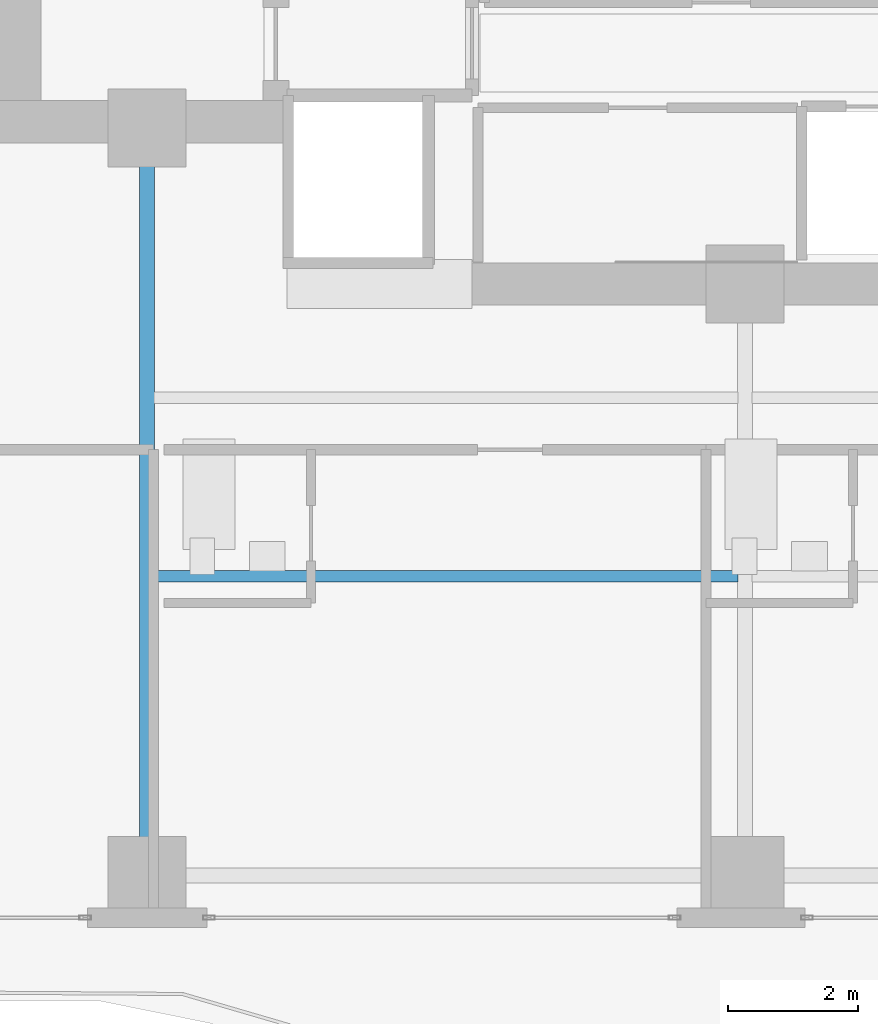
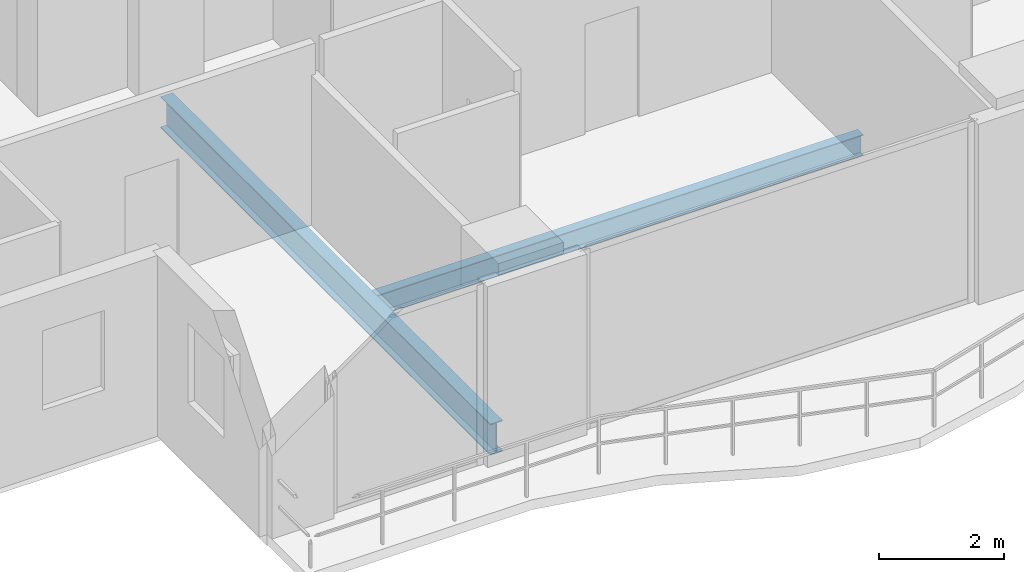
# One storey, part 3 of 32: 2 beams.
"""IFC4 building model written with IfcOpenShell, lengths in metres."""

from ifc_helpers import new_model, si_unit, direction, frame, origin, origin_2d, place, context, subcontext, project, spatial, i_section, extrude, material, material_profile, profile_set, type_object, element, save


model = new_model("IFC4")

# Units and contexts
model_context = context("Model", 3, precision=1e-05, world=origin(), true_north=direction((0.0, 1.0)))
body_context = subcontext(model_context, "Body", "Model", "MODEL_VIEW")
ifc_project = project(units=[si_unit("LENGTHUNIT", "METRE"), si_unit("AREAUNIT", "SQUARE_METRE"), si_unit("VOLUMEUNIT", "CUBIC_METRE"), si_unit("PLANEANGLEUNIT", "RADIAN"), si_unit("MASSUNIT", "GRAM", prefix="KILO")], contexts=[model_context])

# Site, building, storey
site_placement = place(None, origin())
site = spatial("IfcSite", under=ifc_project, at=site_placement, CompositionType="ELEMENT")
building_placement = place(site_placement, origin())
building = spatial("IfcBuilding", under=site, at=building_placement, Name="Zuhayl Quay Hotel", CompositionType="ELEMENT")
storey_placement = place(building_placement, frame((0.0, 0.0, 184.89990234375)))
storey = spatial("IfcBuildingStorey", under=building, at=storey_placement, Name="L46", CompositionType="ELEMENT", Elevation=184.89990234375)

# Beams
ifc_material = material(Name="Steel ASTM A992 Grade 50", Category="steel")
ifc_material_profile_1 = material_profile(ifc_material, i_section(OverallWidth=0.22802734375, OverallDepth=0.60693359375, WebThickness=0.01123046875, FlangeThickness=0.017333984375, at=origin_2d()), Name="W24X76")
ifc_profile_set_1 = profile_set([ifc_material_profile_1], Name="Steel ASTM A992 Grade 50")
beam_type_1 = type_object("IfcBeamType", Name="BM_B3_W24X76", PredefinedType="BEAM", material=ifc_profile_set_1)
beam_1_placement = place(storey_placement, frame((-13.800048828125, -6.449951171875, -0.5234375), z_axis=(0.0, 1.0, 0.0), x_axis=(-1.0, 0.0, 0.0)))
element("IfcBeam", 1, at=beam_1_placement, inside=storey, type_object=beam_type_1, Name="L46 Floor Beam FG_S_L46_1", PredefinedType="BEAM", context=body_context, shape_type="SweptSolid", body=[
    extrude(i_section(OverallWidth=0.22802734375, OverallDepth=0.60693359375, WebThickness=0.01123046875, FlangeThickness=0.017333984375, at=origin_2d()), origin(), (0.0, 0.0, 1.0), 10.550048828125),
])
ifc_material_profile_2 = material_profile(ifc_material, i_section(OverallWidth=0.177978515625, OverallDepth=0.406005859375, WebThickness=0.0078125, FlangeThickness=0.0126953125, at=origin_2d()), Name="W16X40")
ifc_profile_set_2 = profile_set([ifc_material_profile_2], Name="Steel ASTM A992 Grade 50")
beam_type_2 = type_object("IfcBeamType", Name="BM_J2B_W16X40", PredefinedType="JOIST", material=ifc_profile_set_2)
beam_2_placement = place(storey_placement, frame((-13.694091796875, -2.35009765625, -0.4228515625), z_axis=(1.0, 0.0, 0.0), x_axis=(0.0, 1.0, 0.0)))
element("IfcBeam", 2, at=beam_2_placement, inside=storey, type_object=beam_type_2, Name="L46 Floor Beam FJ_L46_7_1", PredefinedType="JOIST", context=body_context, shape_type="SweptSolid", body=[
    extrude(i_section(OverallWidth=0.177978515625, OverallDepth=0.406005859375, WebThickness=0.0078125, FlangeThickness=0.0126953125, at=origin_2d()), origin(), (0.0, 0.0, 1.0), 8.988037109375),
])

save(model, "model.ifc")
